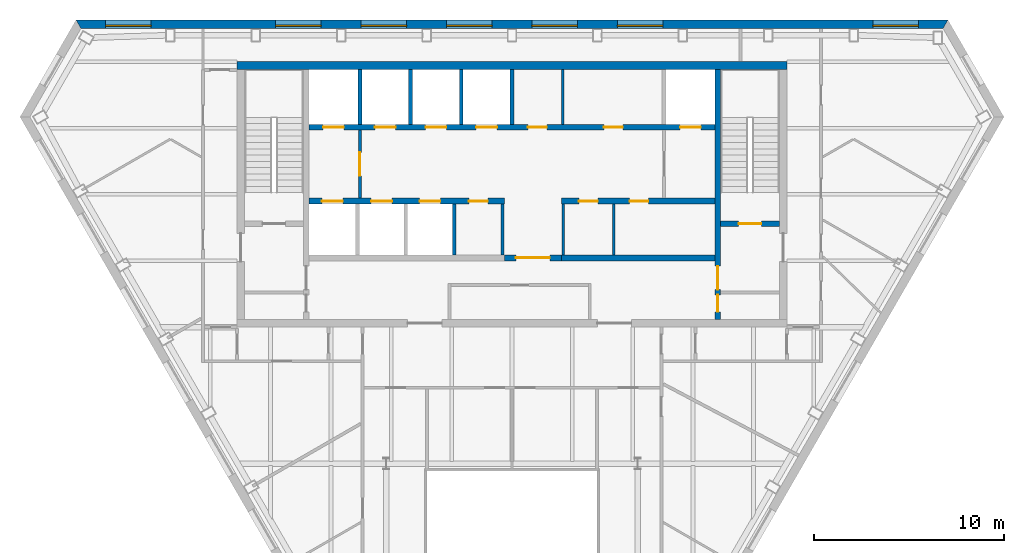
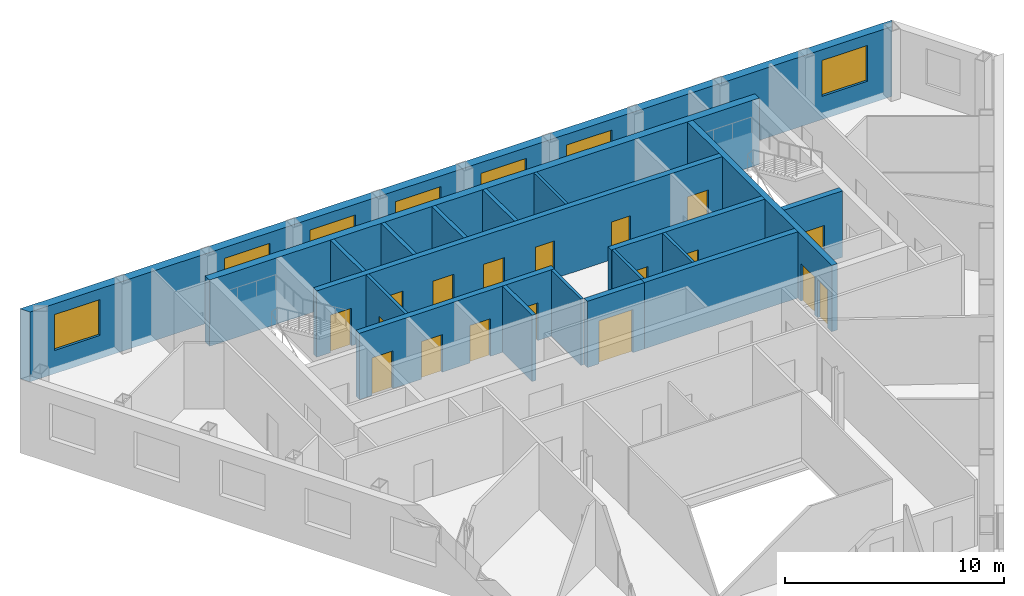
# One storey, part 6 of 10: 19 walls, 18 doors, 7 windows, 25 openings.
"""IFC4 building model written with IfcOpenShell, lengths in metres."""

from ifc_helpers import new_model, si_unit, direction, frame, frame_2d, origin, place, context, subcontext, project, spatial, polyline, rectangle, outline, extrude, material, layer, layer_set, type_object, element, fill, save


model = new_model("IFC4")

# Units and contexts
model_context = context("Model", 3, precision=1e-05, world=origin(), true_north=direction((0.0, 1.0)))
body_context = subcontext(model_context, "Body", "Model", "MODEL_VIEW")
ifc_project = project(units=[si_unit("LENGTHUNIT", "METRE"), si_unit("AREAUNIT", "SQUARE_METRE"), si_unit("VOLUMEUNIT", "CUBIC_METRE"), si_unit("PLANEANGLEUNIT", "RADIAN"), si_unit("MASSUNIT", "GRAM", prefix="KILO")], contexts=[model_context])

# Site, building, storey
site_placement = place(None, origin())
site = spatial("IfcSite", under=ifc_project, at=site_placement, CompositionType="ELEMENT")
building_placement = place(site_placement, origin())
building = spatial("IfcBuilding", under=site, at=building_placement, Name="Njiva Tower", CompositionType="ELEMENT")
storey_placement = place(building_placement, frame((0.0, 0.0, 264.9)))
storey = spatial("IfcBuildingStorey", under=building, at=storey_placement, Name="L60", CompositionType="ELEMENT", Elevation=264.9)

# Walls
ifc_material_1 = material(Name="Blockwork", Category="masonry")
ifc_layer_1 = layer(ifc_material_1, 0.15)
ifc_layer_set_1 = layer_set([ifc_layer_1], Name="Blockwork")
wall_type_1 = type_object("IfcWallType", Name="WT1 Compartment partition 150", PredefinedType="PARTITIONING", material=ifc_layer_set_1)
wall_1_placement = place(storey_placement, frame((2.675, 14.7, 0.0), z_axis=(0.0, 0.0, 1.0), x_axis=(0.0, 1.0, 0.0)))
element("IfcWall", 1, at=wall_1_placement, inside=storey, type_object=wall_type_1, Name="Partition CN5", PredefinedType="PARTITIONING", context=body_context, shape_type="SweptSolid", body=[
    extrude(rectangle(XDim=2.9, YDim=0.15, at=frame_2d((1.45, 0.0))), origin(), (0.0, 0.0, 1.0), 3.7),
])
for number, where, z_axis, x_axis, name in (
    (2, (-0.5, 7.8, 0.0), (0.0, 0.0, 1.0), (0.0, 1.0, 0.0), "Partition CS4"),
    (3, (2.7, 7.8, 0.0), (0.0, 0.0, 1.0), (0.0, 1.0, 0.0), "Partition CS5"),
    (4, (5.3667, 7.8, 0.0), (0.0, 0.0, 1.0), (0.0, 1.0, 0.0), "Partition CS6"),
):
    element("IfcWall", number, at=place(storey_placement, frame(where, z_axis=z_axis, x_axis=x_axis)), inside=storey, type_object=wall_type_1, Name=name, PredefinedType="PARTITIONING", context=body_context, shape_type="SweptSolid", body=[
        extrude(rectangle(XDim=2.7, YDim=0.15, at=frame_2d((1.35, 0.0))), origin(), (0.0, 0.0, 1.0), 3.7),
    ])

# Wall, openings, doors
ifc_material_2 = material(Name="Concrete C40/50", Category="concrete")
ifc_layer_2 = layer(ifc_material_2, 0.3)
ifc_layer_set_2 = layer_set([ifc_layer_2], Name="Concrete C40/50")
wall_type_2 = type_object("IfcWallType", Name="WT10 Stair enclosure wall 300", PredefinedType="SHEAR", material=ifc_layer_set_2)
wall_2_placement = place(storey_placement, frame((10.85, 4.4, 0.0), z_axis=(0.0, 0.0, 1.0), x_axis=(0.0, 1.0, 0.0)))
wall_2 = element("IfcWall", 5, at=wall_2_placement, inside=storey, type_object=wall_type_2, Name="Stair wall east inner", PredefinedType="SHEAR", context=body_context, shape_type="SweptSolid", body=[
    extrude(rectangle(XDim=13.2, YDim=0.3, at=frame_2d((6.6, 0.0))), origin(), (0.0, 0.0, 1.0), 3.7),
])
opening_1_placement = place(wall_2_placement, frame((1.575, 0.0, 0.0)))
opening_1 = element("IfcOpeningElement", 6, at=opening_1_placement, cuts=wall_2, Name="Opening S19-D921", PredefinedType="OPENING", context=body_context, shape_type="SweptSolid", body=[
    extrude(rectangle(XDim=1.25, YDim=2.1, at=frame_2d((0.625, 1.05))), frame((0.0, 0.16, 0.0), z_axis=(0.0, -1.0, 0.0), x_axis=(1.0, 0.0, 0.0)), (0.0, 0.0, 1.0), 0.32),
])
opening_2_placement = place(wall_2_placement, frame((0.4, 0.0, 0.0)))
opening_2 = element("IfcOpeningElement", 7, at=opening_2_placement, cuts=wall_2, Name="Opening S19-D923", PredefinedType="OPENING", context=body_context, shape_type="SweptSolid", body=[
    extrude(rectangle(XDim=0.9, YDim=2.1, at=frame_2d((0.45, 1.05))), frame((0.0, 0.16, 0.0), z_axis=(0.0, -1.0, 0.0), x_axis=(1.0, 0.0, 0.0)), (0.0, 0.0, 1.0), 0.32),
])
ifc_material_3 = material(Name="Steel door, painted", Category="steel")
door_type_1 = type_object("IfcDoorType", Name="D13 Steel door 900x2100", OperationType="SINGLE_SWING_LEFT", PredefinedType="DOOR", material=ifc_material_3)
door_1_placement = place(opening_2_placement, origin())
door_1 = element("IfcDoor", 8, at=door_1_placement, inside=storey, type_object=door_type_1, Name="Business centre door", OperationType="SINGLE_SWING_LEFT", OverallHeight=2.1, OverallWidth=0.9, PredefinedType="DOOR", context=body_context, shape_type="SweptSolid", body=[
    extrude(rectangle(XDim=0.9, YDim=2.1, at=frame_2d((0.45, 1.05))), frame((0.0, 0.025, 0.0), z_axis=(0.0, -1.0, 0.0), x_axis=(1.0, 0.0, 0.0)), (0.0, 0.0, 1.0), 0.05),
])
fill(opening_2, door_1)
ifc_material_4 = material(Name="Glazed steel fire door", Category="steel")
door_type_2 = type_object("IfcDoorType", Name="D8 Vestibule corridor door 1250x2100 glazed", OperationType="SINGLE_SWING_LEFT", PredefinedType="DOOR", material=ifc_material_4)
door_2_placement = place(opening_1_placement, origin())
door_2 = element("IfcDoor", 9, at=door_2_placement, inside=storey, type_object=door_type_2, Name="Stair vestibule corridor door", OperationType="SINGLE_SWING_RIGHT", OverallHeight=2.1, OverallWidth=1.25, PredefinedType="DOOR", context=body_context, shape_type="SweptSolid", body=[
    extrude(rectangle(XDim=1.25, YDim=2.1, at=frame_2d((0.625, 1.05))), frame((0.0, 0.025, 0.0), z_axis=(0.0, -1.0, 0.0), x_axis=(1.0, 0.0, 0.0)), (0.0, 0.0, 1.0), 0.05),
])
fill(opening_1, door_2)

# Wall, opening, door
wall_3_placement = place(storey_placement, frame((11.0, 9.45, 0.0), z_axis=(0.0, 0.0, 1.0), x_axis=(1.0, 0.0, 0.0)))
wall_3 = element("IfcWall", 10, at=wall_3_placement, inside=storey, type_object=wall_type_2, Name="Stair B south wall", PredefinedType="SHEAR", context=body_context, shape_type="SweptSolid", body=[
    extrude(rectangle(XDim=3.1, YDim=0.3, at=frame_2d((1.55, 0.0))), origin(), (0.0, 0.0, 1.0), 3.7),
])
opening_3_placement = place(wall_3_placement, frame((0.95, 0.0, 0.0)))
opening_3 = element("IfcOpeningElement", 11, at=opening_3_placement, cuts=wall_3, Name="Opening S19-D920", PredefinedType="OPENING", context=body_context, shape_type="SweptSolid", body=[
    extrude(rectangle(XDim=1.2, YDim=2.1, at=frame_2d((0.6, 1.05))), frame((0.0, 0.16, 0.0), z_axis=(0.0, -1.0, 0.0), x_axis=(1.0, 0.0, 0.0)), (0.0, 0.0, 1.0), 0.32),
])
door_type_3 = type_object("IfcDoorType", Name="D7 Stair vestibule door 1200x2100 glazed", OperationType="SINGLE_SWING_LEFT", PredefinedType="DOOR", material=ifc_material_4)
door_3_placement = place(opening_3_placement, origin())
door_3 = element("IfcDoor", 12, at=door_3_placement, inside=storey, type_object=door_type_3, Name="Stair B door", OperationType="SINGLE_SWING_LEFT", OverallHeight=2.1, OverallWidth=1.2, PredefinedType="DOOR", context=body_context, shape_type="SweptSolid", body=[
    extrude(rectangle(XDim=1.2, YDim=2.1, at=frame_2d((0.6, 1.05))), frame((0.0, 0.025, 0.0), z_axis=(0.0, -1.0, 0.0), x_axis=(1.0, 0.0, 0.0)), (0.0, 0.0, 1.0), 0.05),
])
fill(opening_3, door_3)

# Wall
ifc_material_5 = material(Name="Concrete C60/75", Category="concrete")
ifc_layer_3 = layer(ifc_material_5, 0.4)
ifc_layer_set_3 = layer_set([ifc_layer_3], Name="Concrete C60/75")
wall_type_3 = type_object("IfcWallType", Name="WT11 Core wall 400", PredefinedType="SHEAR", material=ifc_layer_set_3)
wall_4_placement = place(storey_placement, frame((-14.5, 17.8, 0.0), z_axis=(0.0, 0.0, 1.0), x_axis=(1.0, 0.0, 0.0)))
element("IfcWall", 13, at=wall_4_placement, inside=storey, type_object=wall_type_3, Name="Core wall north", PredefinedType="SHEAR", context=body_context, shape_type="SweptSolid", body=[
    extrude(rectangle(XDim=29.0, YDim=0.4, at=frame_2d((14.5, 0.0))), origin(), (0.0, 0.0, 1.0), 3.7),
])

# Wall, opening, door
ifc_layer_4 = layer(ifc_material_1, 0.15)
ifc_layer_set_4 = layer_set([ifc_layer_4], Name="Blockwork")
wall_type_4 = type_object("IfcWallType", Name="WT2 Lobby partition 150", PredefinedType="PARTITIONING", material=ifc_layer_set_4)
wall_5_placement = place(storey_placement, frame((-8.025, 10.8, 0.0), z_axis=(0.0, 0.0, 1.0), x_axis=(0.0, 1.0, 0.0)))
wall_5 = element("IfcWall", 14, at=wall_5_placement, inside=storey, type_object=wall_type_4, Name="Firefighting lobby wall A", PredefinedType="PARTITIONING", context=body_context, shape_type="SweptSolid", body=[
    extrude(rectangle(XDim=3.6, YDim=0.15, at=frame_2d((1.8, 0.0))), origin(), (0.0, 0.0, 1.0), 3.7),
])
opening_4_placement = place(wall_5_placement, frame((1.175, 0.0, 0.0)))
opening_4 = element("IfcOpeningElement", 15, at=opening_4_placement, cuts=wall_5, Name="Opening S19-D914", PredefinedType="OPENING", context=body_context, shape_type="SweptSolid", body=[
    extrude(rectangle(XDim=1.25, YDim=2.1, at=frame_2d((0.625, 1.05))), frame((0.0, 0.085, 0.0), z_axis=(0.0, -1.0, 0.0), x_axis=(1.0, 0.0, 0.0)), (0.0, 0.0, 1.0), 0.17),
])
door_4_placement = place(opening_4_placement, origin())
door_4 = element("IfcDoor", 16, at=door_4_placement, inside=storey, type_object=door_type_2, Name="Stair vestibule corridor door", OperationType="SINGLE_SWING_RIGHT", OverallHeight=2.1, OverallWidth=1.25, PredefinedType="DOOR", context=body_context, shape_type="SweptSolid", body=[
    extrude(rectangle(XDim=1.25, YDim=2.1, at=frame_2d((0.625, 1.05))), frame((0.0, 0.025, 0.0), z_axis=(0.0, -1.0, 0.0), x_axis=(1.0, 0.0, 0.0)), (0.0, 0.0, 1.0), 0.05),
])
fill(opening_4, door_4)

ifc_layer_5 = layer(ifc_material_1, 0.3)
ifc_layer_set_5 = layer_set([ifc_layer_5], Name="Blockwork")
wall_type_5 = type_object("IfcWallType", Name="WT5 Lobby partition 300", PredefinedType="PARTITIONING", material=ifc_layer_set_5)
wall_6_placement = place(storey_placement, frame((-0.4, 7.65, 0.0), z_axis=(0.0, 0.0, 1.0), x_axis=(1.0, 0.0, 0.0)))
wall_6 = element("IfcWall", 17, at=wall_6_placement, inside=storey, type_object=wall_type_5, Name="Lift lobby screen wall", PredefinedType="PARTITIONING", context=body_context, shape_type="SweptSolid", body=[
    extrude(rectangle(XDim=3.0, YDim=0.3, at=frame_2d((1.5, 0.0))), origin(), (0.0, 0.0, 1.0), 3.7),
])
opening_5_placement = place(wall_6_placement, frame((0.6, 0.0, 0.0)))
opening_5 = element("IfcOpeningElement", 18, at=opening_5_placement, cuts=wall_6, Name="Opening S19-D925", PredefinedType="OPENING", context=body_context, shape_type="SweptSolid", body=[
    extrude(rectangle(XDim=1.8, YDim=2.4, at=frame_2d((0.9, 1.2))), frame((0.0, 0.16, 0.0), z_axis=(0.0, -1.0, 0.0), x_axis=(1.0, 0.0, 0.0)), (0.0, 0.0, 1.0), 0.32),
])
ifc_material_6 = material(Name="Steel and glass door", Category="steel")
door_type_4 = type_object("IfcDoorType", Name="D3 Core entrance door 1800x2400", OperationType="DOUBLE_DOOR_SINGLE_SWING", PredefinedType="DOOR", material=ifc_material_6)
door_5_placement = place(opening_5_placement, origin())
door_5 = element("IfcDoor", 19, at=door_5_placement, inside=storey, type_object=door_type_4, Name="Core entrance door", OperationType="DOUBLE_DOOR_SINGLE_SWING", OverallHeight=2.4, OverallWidth=1.8, PredefinedType="DOOR", context=body_context, shape_type="SweptSolid", body=[
    extrude(rectangle(XDim=1.8, YDim=2.4, at=frame_2d((0.9, 1.2))), frame((0.0, 0.025, 0.0), z_axis=(0.0, -1.0, 0.0), x_axis=(1.0, 0.0, 0.0)), (0.0, 0.0, 1.0), 0.05),
])
fill(opening_5, door_5)

# Walls
ifc_layer_6 = layer(ifc_material_2, 0.2)
ifc_layer_set_6 = layer_set([ifc_layer_6], Name="Concrete C40/50")
wall_type_6 = type_object("IfcWallType", Name="WT6 Lift shaft wall 200", PredefinedType="SHEAR", material=ifc_layer_set_6)
for number, where, z_axis, x_axis, name in (
    (20, (-8.025, 14.7, 0.0), (0.0, 0.0, 1.0), (0.0, 1.0, 0.0), "Shaft wall CN1"),
    (21, (-5.35, 14.7, 0.0), (0.0, 0.0, 1.0), (0.0, 1.0, 0.0), "Shaft wall CN2"),
    (22, (-2.675, 14.7, 0.0), (0.0, 0.0, 1.0), (0.0, 1.0, 0.0), "Shaft wall CN3"),
    (23, (0.0, 14.7, 0.0), (0.0, 0.0, 1.0), (0.0, 1.0, 0.0), "Shaft wall CN4"),
):
    element("IfcWall", number, at=place(storey_placement, frame(where, z_axis=z_axis, x_axis=x_axis)), inside=storey, type_object=wall_type_6, Name=name, PredefinedType="SHEAR", context=body_context, shape_type="SweptSolid", body=[
        extrude(rectangle(XDim=2.9, YDim=0.2, at=frame_2d((1.45, 0.0))), origin(), (0.0, 0.0, 1.0), 3.7),
    ])
wall_7_placement = place(storey_placement, frame((-3.05, 7.8, 0.0), z_axis=(0.0, 0.0, 1.0), x_axis=(0.0, 1.0, 0.0)))
element("IfcWall", 24, at=wall_7_placement, inside=storey, type_object=wall_type_6, Name="Shaft wall CS3", PredefinedType="SHEAR", context=body_context, shape_type="SweptSolid", body=[
    extrude(rectangle(XDim=2.7, YDim=0.2, at=frame_2d((1.35, 0.0))), origin(), (0.0, 0.0, 1.0), 3.7),
])

# Wall, openings, doors
ifc_layer_7 = layer(ifc_material_2, 0.3)
ifc_layer_set_7 = layer_set([ifc_layer_7], Name="Concrete C40/50")
wall_type_7 = type_object("IfcWallType", Name="WT7 Lift shaft wall 300", PredefinedType="SHEAR", material=ifc_layer_set_7)
wall_8_placement = place(storey_placement, frame((-10.7, 14.55, 0.0), z_axis=(0.0, 0.0, 1.0), x_axis=(1.0, 0.0, 0.0)))
wall_8 = element("IfcWall", 25, at=wall_8_placement, inside=storey, type_object=wall_type_7, Name="Shaft wall north row lobby side", PredefinedType="SHEAR", context=body_context, shape_type="SweptSolid", body=[
    extrude(rectangle(XDim=21.4, YDim=0.3, at=frame_2d((10.7, 0.0))), origin(), (0.0, 0.0, 1.0), 3.7),
])
opening_6_placement = place(wall_8_placement, frame((0.7375, 0.0, 0.0)))
opening_6 = element("IfcOpeningElement", 26, at=opening_6_placement, cuts=wall_8, Name="Opening S19-D901", PredefinedType="OPENING", context=body_context, shape_type="SweptSolid", body=[
    extrude(rectangle(XDim=1.1, YDim=2.1, at=frame_2d((0.55, 1.05))), frame((0.0, 0.16, 0.0), z_axis=(0.0, -1.0, 0.0), x_axis=(1.0, 0.0, 0.0)), (0.0, 0.0, 1.0), 0.32),
])
opening_7_placement = place(wall_8_placement, frame((3.4625, 0.0, 0.0)))
opening_7 = element("IfcOpeningElement", 27, at=opening_7_placement, cuts=wall_8, Name="Opening S19-D902", PredefinedType="OPENING", context=body_context, shape_type="SweptSolid", body=[
    extrude(rectangle(XDim=1.1, YDim=2.1, at=frame_2d((0.55, 1.05))), frame((0.0, 0.16, 0.0), z_axis=(0.0, -1.0, 0.0), x_axis=(1.0, 0.0, 0.0)), (0.0, 0.0, 1.0), 0.32),
])
opening_8_placement = place(wall_8_placement, frame((6.1375, 0.0, 0.0)))
opening_8 = element("IfcOpeningElement", 28, at=opening_8_placement, cuts=wall_8, Name="Opening S19-D903", PredefinedType="OPENING", context=body_context, shape_type="SweptSolid", body=[
    extrude(rectangle(XDim=1.1, YDim=2.1, at=frame_2d((0.55, 1.05))), frame((0.0, 0.16, 0.0), z_axis=(0.0, -1.0, 0.0), x_axis=(1.0, 0.0, 0.0)), (0.0, 0.0, 1.0), 0.32),
])
opening_9_placement = place(wall_8_placement, frame((8.8125, 0.0, 0.0)))
opening_9 = element("IfcOpeningElement", 29, at=opening_9_placement, cuts=wall_8, Name="Opening S19-D904", PredefinedType="OPENING", context=body_context, shape_type="SweptSolid", body=[
    extrude(rectangle(XDim=1.1, YDim=2.1, at=frame_2d((0.55, 1.05))), frame((0.0, 0.16, 0.0), z_axis=(0.0, -1.0, 0.0), x_axis=(1.0, 0.0, 0.0)), (0.0, 0.0, 1.0), 0.32),
])
opening_10_placement = place(wall_8_placement, frame((19.5625, 0.0, 0.0)))
opening_10 = element("IfcOpeningElement", 30, at=opening_10_placement, cuts=wall_8, Name="Opening S19-D905", PredefinedType="OPENING", context=body_context, shape_type="SweptSolid", body=[
    extrude(rectangle(XDim=1.1, YDim=2.1, at=frame_2d((0.55, 1.05))), frame((0.0, 0.16, 0.0), z_axis=(0.0, -1.0, 0.0), x_axis=(1.0, 0.0, 0.0)), (0.0, 0.0, 1.0), 0.32),
])
opening_11_placement = place(wall_8_placement, frame((11.5375, 0.0, 0.0)))
opening_11 = element("IfcOpeningElement", 31, at=opening_11_placement, cuts=wall_8, Name="Opening S19-D909", PredefinedType="OPENING", context=body_context, shape_type="SweptSolid", body=[
    extrude(rectangle(XDim=1.0, YDim=2.1, at=frame_2d((0.5, 1.05))), frame((0.0, 0.16, 0.0), z_axis=(0.0, -1.0, 0.0), x_axis=(1.0, 0.0, 0.0)), (0.0, 0.0, 1.0), 0.32),
])
opening_12_placement = place(wall_8_placement, frame((15.55, 0.0, 0.0)))
opening_12 = element("IfcOpeningElement", 32, at=opening_12_placement, cuts=wall_8, Name="Opening S19-D910", PredefinedType="OPENING", context=body_context, shape_type="SweptSolid", body=[
    extrude(rectangle(XDim=1.0, YDim=2.1, at=frame_2d((0.5, 1.05))), frame((0.0, 0.16, 0.0), z_axis=(0.0, -1.0, 0.0), x_axis=(1.0, 0.0, 0.0)), (0.0, 0.0, 1.0), 0.32),
])
door_type_5 = type_object("IfcDoorType", Name="D5 Steel door 1000x2100", OperationType="SINGLE_SWING_LEFT", PredefinedType="DOOR", material=ifc_material_3)
door_6_placement = place(opening_11_placement, origin())
door_6 = element("IfcDoor", 33, at=door_6_placement, inside=storey, type_object=door_type_5, Name="Quiet room door", OperationType="SINGLE_SWING_LEFT", OverallHeight=2.1, OverallWidth=1.0, PredefinedType="DOOR", context=body_context, shape_type="SweptSolid", body=[
    extrude(rectangle(XDim=1.0, YDim=2.1, at=frame_2d((0.5, 1.05))), frame((0.0, 0.025, 0.0), z_axis=(0.0, -1.0, 0.0), x_axis=(1.0, 0.0, 0.0)), (0.0, 0.0, 1.0), 0.05),
])
fill(opening_11, door_6)
door_7_placement = place(opening_12_placement, origin())
door_7 = element("IfcDoor", 34, at=door_7_placement, inside=storey, type_object=door_type_5, Name="Prayer room door", OperationType="SINGLE_SWING_LEFT", OverallHeight=2.1, OverallWidth=1.0, PredefinedType="DOOR", context=body_context, shape_type="SweptSolid", body=[
    extrude(rectangle(XDim=1.0, YDim=2.1, at=frame_2d((0.5, 1.05))), frame((0.0, 0.025, 0.0), z_axis=(0.0, -1.0, 0.0), x_axis=(1.0, 0.0, 0.0)), (0.0, 0.0, 1.0), 0.05),
])
fill(opening_12, door_7)
ifc_material_7 = material(Name="Stainless steel sliding door", Category="steel")
door_type_6 = type_object("IfcDoorType", Name="LD Lift landing door 1100x2100", OperationType="SLIDING_TO_LEFT", PredefinedType="DOOR", material=ifc_material_7)
door_8_placement = place(opening_6_placement, origin())
door_8 = element("IfcDoor", 35, at=door_8_placement, inside=storey, type_object=door_type_6, Name="Lift landing door FF1", OperationType="SLIDING_TO_LEFT", OverallHeight=2.1, OverallWidth=1.1, PredefinedType="DOOR", context=body_context, shape_type="SweptSolid", body=[
    extrude(rectangle(XDim=1.1, YDim=2.1, at=frame_2d((0.55, 1.05))), frame((0.0, 0.025, 0.0), z_axis=(0.0, -1.0, 0.0), x_axis=(1.0, 0.0, 0.0)), (0.0, 0.0, 1.0), 0.05),
])
fill(opening_6, door_8)
door_9_placement = place(opening_7_placement, origin())
door_9 = element("IfcDoor", 36, at=door_9_placement, inside=storey, type_object=door_type_6, Name="Lift landing door HB4", OperationType="SLIDING_TO_LEFT", OverallHeight=2.1, OverallWidth=1.1, PredefinedType="DOOR", context=body_context, shape_type="SweptSolid", body=[
    extrude(rectangle(XDim=1.1, YDim=2.1, at=frame_2d((0.55, 1.05))), frame((0.0, 0.025, 0.0), z_axis=(0.0, -1.0, 0.0), x_axis=(1.0, 0.0, 0.0)), (0.0, 0.0, 1.0), 0.05),
])
fill(opening_7, door_9)
door_10_placement = place(opening_8_placement, origin())
door_10 = element("IfcDoor", 37, at=door_10_placement, inside=storey, type_object=door_type_6, Name="Lift landing door HB5", OperationType="SLIDING_TO_LEFT", OverallHeight=2.1, OverallWidth=1.1, PredefinedType="DOOR", context=body_context, shape_type="SweptSolid", body=[
    extrude(rectangle(XDim=1.1, YDim=2.1, at=frame_2d((0.55, 1.05))), frame((0.0, 0.025, 0.0), z_axis=(0.0, -1.0, 0.0), x_axis=(1.0, 0.0, 0.0)), (0.0, 0.0, 1.0), 0.05),
])
fill(opening_8, door_10)
door_11_placement = place(opening_9_placement, origin())
door_11 = element("IfcDoor", 38, at=door_11_placement, inside=storey, type_object=door_type_6, Name="Lift landing door HB6", OperationType="SLIDING_TO_LEFT", OverallHeight=2.1, OverallWidth=1.1, PredefinedType="DOOR", context=body_context, shape_type="SweptSolid", body=[
    extrude(rectangle(XDim=1.1, YDim=2.1, at=frame_2d((0.55, 1.05))), frame((0.0, 0.025, 0.0), z_axis=(0.0, -1.0, 0.0), x_axis=(1.0, 0.0, 0.0)), (0.0, 0.0, 1.0), 0.05),
])
fill(opening_9, door_11)
door_12_placement = place(opening_10_placement, origin())
door_12 = element("IfcDoor", 39, at=door_12_placement, inside=storey, type_object=door_type_6, Name="Lift landing door FF2", OperationType="SLIDING_TO_LEFT", OverallHeight=2.1, OverallWidth=1.1, PredefinedType="DOOR", context=body_context, shape_type="SweptSolid", body=[
    extrude(rectangle(XDim=1.1, YDim=2.1, at=frame_2d((0.55, 1.05))), frame((0.0, 0.025, 0.0), z_axis=(0.0, -1.0, 0.0), x_axis=(1.0, 0.0, 0.0)), (0.0, 0.0, 1.0), 0.05),
])
fill(opening_10, door_12)

wall_9_placement = place(storey_placement, frame((-10.7, 10.65, 0.0), z_axis=(0.0, 0.0, 1.0), x_axis=(1.0, 0.0, 0.0)))
wall_9 = element("IfcWall", 40, at=wall_9_placement, inside=storey, type_object=wall_type_7, Name="Shaft wall south row lobby side W", PredefinedType="SHEAR", context=body_context, shape_type="SweptSolid", body=[
    extrude(rectangle(XDim=10.3, YDim=0.3, at=frame_2d((5.15, 0.0))), origin(), (0.0, 0.0, 1.0), 3.7),
])
opening_13_placement = place(wall_9_placement, frame((0.675, 0.0, 0.0)))
opening_13 = element("IfcOpeningElement", 41, at=opening_13_placement, cuts=wall_9, Name="Opening S19-D906", PredefinedType="OPENING", context=body_context, shape_type="SweptSolid", body=[
    extrude(rectangle(XDim=1.1, YDim=2.1, at=frame_2d((0.55, 1.05))), frame((0.0, 0.16, 0.0), z_axis=(0.0, -1.0, 0.0), x_axis=(1.0, 0.0, 0.0)), (0.0, 0.0, 1.0), 0.32),
])
opening_14_placement = place(wall_9_placement, frame((3.275, 0.0, 0.0)))
opening_14 = element("IfcOpeningElement", 42, at=opening_14_placement, cuts=wall_9, Name="Opening S19-D907", PredefinedType="OPENING", context=body_context, shape_type="SweptSolid", body=[
    extrude(rectangle(XDim=1.1, YDim=2.1, at=frame_2d((0.55, 1.05))), frame((0.0, 0.16, 0.0), z_axis=(0.0, -1.0, 0.0), x_axis=(1.0, 0.0, 0.0)), (0.0, 0.0, 1.0), 0.32),
])
opening_15_placement = place(wall_9_placement, frame((5.825, 0.0, 0.0)))
opening_15 = element("IfcOpeningElement", 43, at=opening_15_placement, cuts=wall_9, Name="Opening S19-D908", PredefinedType="OPENING", context=body_context, shape_type="SweptSolid", body=[
    extrude(rectangle(XDim=1.1, YDim=2.1, at=frame_2d((0.55, 1.05))), frame((0.0, 0.16, 0.0), z_axis=(0.0, -1.0, 0.0), x_axis=(1.0, 0.0, 0.0)), (0.0, 0.0, 1.0), 0.32),
])
opening_16_placement = place(wall_9_placement, frame((8.425, 0.0, 0.0)))
opening_16 = element("IfcOpeningElement", 44, at=opening_16_placement, cuts=wall_9, Name="Opening S19-D911", PredefinedType="OPENING", context=body_context, shape_type="SweptSolid", body=[
    extrude(rectangle(XDim=1.0, YDim=2.1, at=frame_2d((0.5, 1.05))), frame((0.0, 0.16, 0.0), z_axis=(0.0, -1.0, 0.0), x_axis=(1.0, 0.0, 0.0)), (0.0, 0.0, 1.0), 0.32),
])
door_13_placement = place(opening_16_placement, origin())
door_13 = element("IfcDoor", 45, at=door_13_placement, inside=storey, type_object=door_type_5, Name="Business centre door", OperationType="SINGLE_SWING_RIGHT", OverallHeight=2.1, OverallWidth=1.0, PredefinedType="DOOR", context=body_context, shape_type="SweptSolid", body=[
    extrude(rectangle(XDim=1.0, YDim=2.1, at=frame_2d((0.5, 1.05))), frame((0.0, 0.025, 0.0), z_axis=(0.0, -1.0, 0.0), x_axis=(1.0, 0.0, 0.0)), (0.0, 0.0, 1.0), 0.05),
])
fill(opening_16, door_13)
door_14_placement = place(opening_13_placement, origin())
door_14 = element("IfcDoor", 46, at=door_14_placement, inside=storey, type_object=door_type_6, Name="Lift landing door HB1", OperationType="SLIDING_TO_LEFT", OverallHeight=2.1, OverallWidth=1.1, PredefinedType="DOOR", context=body_context, shape_type="SweptSolid", body=[
    extrude(rectangle(XDim=1.1, YDim=2.1, at=frame_2d((0.55, 1.05))), frame((0.0, 0.025, 0.0), z_axis=(0.0, -1.0, 0.0), x_axis=(1.0, 0.0, 0.0)), (0.0, 0.0, 1.0), 0.05),
])
fill(opening_13, door_14)
door_15_placement = place(opening_14_placement, origin())
door_15 = element("IfcDoor", 47, at=door_15_placement, inside=storey, type_object=door_type_6, Name="Lift landing door HB2", OperationType="SLIDING_TO_LEFT", OverallHeight=2.1, OverallWidth=1.1, PredefinedType="DOOR", context=body_context, shape_type="SweptSolid", body=[
    extrude(rectangle(XDim=1.1, YDim=2.1, at=frame_2d((0.55, 1.05))), frame((0.0, 0.025, 0.0), z_axis=(0.0, -1.0, 0.0), x_axis=(1.0, 0.0, 0.0)), (0.0, 0.0, 1.0), 0.05),
])
fill(opening_14, door_15)
door_16_placement = place(opening_15_placement, origin())
door_16 = element("IfcDoor", 48, at=door_16_placement, inside=storey, type_object=door_type_6, Name="Lift landing door HB3", OperationType="SLIDING_TO_LEFT", OverallHeight=2.1, OverallWidth=1.1, PredefinedType="DOOR", context=body_context, shape_type="SweptSolid", body=[
    extrude(rectangle(XDim=1.1, YDim=2.1, at=frame_2d((0.55, 1.05))), frame((0.0, 0.025, 0.0), z_axis=(0.0, -1.0, 0.0), x_axis=(1.0, 0.0, 0.0)), (0.0, 0.0, 1.0), 0.05),
])
fill(opening_15, door_16)

wall_10_placement = place(storey_placement, frame((2.6, 10.65, 0.0), z_axis=(0.0, 0.0, 1.0), x_axis=(1.0, 0.0, 0.0)))
wall_10 = element("IfcWall", 49, at=wall_10_placement, inside=storey, type_object=wall_type_7, Name="Shaft wall south row lobby side E", PredefinedType="SHEAR", context=body_context, shape_type="SweptSolid", body=[
    extrude(rectangle(XDim=8.1, YDim=0.3, at=frame_2d((4.05, 0.0))), origin(), (0.0, 0.0, 1.0), 3.7),
])
opening_17_placement = place(wall_10_placement, frame((0.9334, 0.0, 0.0)))
opening_17 = element("IfcOpeningElement", 50, at=opening_17_placement, cuts=wall_10, Name="Opening S19-D912", PredefinedType="OPENING", context=body_context, shape_type="SweptSolid", body=[
    extrude(rectangle(XDim=1.0, YDim=2.1, at=frame_2d((0.5, 1.05))), frame((0.0, 0.16, 0.0), z_axis=(0.0, -1.0, 0.0), x_axis=(1.0, 0.0, 0.0)), (0.0, 0.0, 1.0), 0.32),
])
opening_18_placement = place(wall_10_placement, frame((3.6, 0.0, 0.0)))
opening_18 = element("IfcOpeningElement", 51, at=opening_18_placement, cuts=wall_10, Name="Opening S19-D913", PredefinedType="OPENING", context=body_context, shape_type="SweptSolid", body=[
    extrude(rectangle(XDim=1.0, YDim=2.1, at=frame_2d((0.5, 1.05))), frame((0.0, 0.16, 0.0), z_axis=(0.0, -1.0, 0.0), x_axis=(1.0, 0.0, 0.0)), (0.0, 0.0, 1.0), 0.32),
])
door_17_placement = place(opening_17_placement, origin())
door_17 = element("IfcDoor", 52, at=door_17_placement, inside=storey, type_object=door_type_5, Name="Meeting room door", OperationType="SINGLE_SWING_LEFT", OverallHeight=2.1, OverallWidth=1.0, PredefinedType="DOOR", context=body_context, shape_type="SweptSolid", body=[
    extrude(rectangle(XDim=1.0, YDim=2.1, at=frame_2d((0.5, 1.05))), frame((0.0, 0.025, 0.0), z_axis=(0.0, -1.0, 0.0), x_axis=(1.0, 0.0, 0.0)), (0.0, 0.0, 1.0), 0.05),
])
fill(opening_17, door_17)
door_18_placement = place(opening_18_placement, origin())
door_18 = element("IfcDoor", 53, at=door_18_placement, inside=storey, type_object=door_type_5, Name="Pump room door", OperationType="SINGLE_SWING_RIGHT", OverallHeight=2.1, OverallWidth=1.0, PredefinedType="DOOR", context=body_context, shape_type="SweptSolid", body=[
    extrude(rectangle(XDim=1.0, YDim=2.1, at=frame_2d((0.5, 1.05))), frame((0.0, 0.025, 0.0), z_axis=(0.0, -1.0, 0.0), x_axis=(1.0, 0.0, 0.0)), (0.0, 0.0, 1.0), 0.05),
])
fill(opening_18, door_18)

# Wall
wall_11_placement = place(storey_placement, frame((2.6, 7.65, 0.0), z_axis=(0.0, 0.0, 1.0), x_axis=(1.0, 0.0, 0.0)))
element("IfcWall", 54, at=wall_11_placement, inside=storey, type_object=wall_type_7, Name="Shaft wall south row back E", PredefinedType="SHEAR", context=body_context, shape_type="SweptSolid", body=[
    extrude(rectangle(XDim=8.1, YDim=0.3, at=frame_2d((4.05, 0.0))), origin(), (0.0, 0.0, 1.0), 3.7),
])

# Wall, openings, windows
ifc_material_8 = material(Name="Brick masonry", Category="masonry")
ifc_layer_8 = layer(ifc_material_8, 0.45)
ifc_layer_set_8 = layer_set([ifc_layer_8], Name="Brick masonry")
wall_type_8 = type_object("IfcWallType", Name="WT90 Brick pier and spandrel wall 450", PredefinedType="SOLIDWALL", material=ifc_layer_set_8)
wall_12_placement = place(storey_placement, frame((22.8651, 19.975, -0.4), z_axis=(0.0, 0.0, 1.0), x_axis=(-1.0, 0.0, 0.0)))
wall_12 = element("IfcWall", 55, at=wall_12_placement, inside=storey, type_object=wall_type_8, Name="Facade wall N", PredefinedType="SOLIDWALL", context=body_context, shape_type="SweptSolid", body=[
    extrude(outline(polyline([(-0.1299, -0.225), (45.8601, -0.225), (45.6003, 0.225), (0.1299, 0.225), (-0.1299, -0.225)])), origin(), (0.0, 0.0, 1.0), 3.9),
])
opening_19_placement = place(wall_12_placement, frame((1.4237, 0.0, 1.3)))
opening_19 = element("IfcOpeningElement", 56, at=opening_19_placement, cuts=wall_12, Name="Opening S19-W01", PredefinedType="OPENING", context=body_context, shape_type="SweptSolid", body=[
    extrude(rectangle(XDim=2.4, YDim=2.0, at=frame_2d((1.2, 1.0))), frame((0.0, 0.235, 0.0), z_axis=(0.0, -1.0, 0.0), x_axis=(1.0, 0.0, 0.0)), (0.0, 0.0, 1.0), 0.47),
])
opening_20_placement = place(wall_12_placement, frame((14.9052, 0.0, 1.3)))
opening_20 = element("IfcOpeningElement", 57, at=opening_20_placement, cuts=wall_12, Name="Opening S19-W02", PredefinedType="OPENING", context=body_context, shape_type="SweptSolid", body=[
    extrude(rectangle(XDim=2.4, YDim=2.0, at=frame_2d((1.2, 1.0))), frame((0.0, 0.235, 0.0), z_axis=(0.0, -1.0, 0.0), x_axis=(1.0, 0.0, 0.0)), (0.0, 0.0, 1.0), 0.47),
])
opening_21_placement = place(wall_12_placement, frame((19.4118, 0.0, 1.3)))
opening_21 = element("IfcOpeningElement", 58, at=opening_21_placement, cuts=wall_12, Name="Opening S19-W03", PredefinedType="OPENING", context=body_context, shape_type="SweptSolid", body=[
    extrude(rectangle(XDim=2.4, YDim=2.0, at=frame_2d((1.2, 1.0))), frame((0.0, 0.235, 0.0), z_axis=(0.0, -1.0, 0.0), x_axis=(1.0, 0.0, 0.0)), (0.0, 0.0, 1.0), 0.47),
])
opening_22_placement = place(wall_12_placement, frame((23.9184, 0.0, 1.3)))
opening_22 = element("IfcOpeningElement", 59, at=opening_22_placement, cuts=wall_12, Name="Opening S19-W04", PredefinedType="OPENING", context=body_context, shape_type="SweptSolid", body=[
    extrude(rectangle(XDim=2.4, YDim=2.0, at=frame_2d((1.2, 1.0))), frame((0.0, 0.235, 0.0), z_axis=(0.0, -1.0, 0.0), x_axis=(1.0, 0.0, 0.0)), (0.0, 0.0, 1.0), 0.47),
])
opening_23_placement = place(wall_12_placement, frame((28.425, 0.0, 1.3)))
opening_23 = element("IfcOpeningElement", 60, at=opening_23_placement, cuts=wall_12, Name="Opening S19-W05", PredefinedType="OPENING", context=body_context, shape_type="SweptSolid", body=[
    extrude(rectangle(XDim=2.4, YDim=2.0, at=frame_2d((1.2, 1.0))), frame((0.0, 0.235, 0.0), z_axis=(0.0, -1.0, 0.0), x_axis=(1.0, 0.0, 0.0)), (0.0, 0.0, 1.0), 0.47),
])
opening_24_placement = place(wall_12_placement, frame((32.9316, 0.0, 1.3)))
opening_24 = element("IfcOpeningElement", 61, at=opening_24_placement, cuts=wall_12, Name="Opening S19-W06", PredefinedType="OPENING", context=body_context, shape_type="SweptSolid", body=[
    extrude(rectangle(XDim=2.4, YDim=2.0, at=frame_2d((1.2, 1.0))), frame((0.0, 0.235, 0.0), z_axis=(0.0, -1.0, 0.0), x_axis=(1.0, 0.0, 0.0)), (0.0, 0.0, 1.0), 0.47),
])
opening_25_placement = place(wall_12_placement, frame((41.9065, 0.0, 1.3)))
opening_25 = element("IfcOpeningElement", 62, at=opening_25_placement, cuts=wall_12, Name="Opening S19-W07", PredefinedType="OPENING", context=body_context, shape_type="SweptSolid", body=[
    extrude(rectangle(XDim=2.4, YDim=2.0, at=frame_2d((1.2, 1.0))), frame((0.0, 0.235, 0.0), z_axis=(0.0, -1.0, 0.0), x_axis=(1.0, 0.0, 0.0)), (0.0, 0.0, 1.0), 0.47),
])
ifc_material_9 = material(Name="Clear glazing in aluminium frame", Category="aluminium")
window_type = type_object("IfcWindowType", Name="W90 Deep-set window 2400x2000", PartitioningType="SINGLE_PANEL", PredefinedType="WINDOW", material=ifc_material_9)
window_1_placement = place(opening_19_placement, origin())
window_1 = element("IfcWindow", 63, at=window_1_placement, inside=storey, type_object=window_type, Name="Window", OverallHeight=2.0, OverallWidth=2.4, PartitioningType="SINGLE_PANEL", PredefinedType="WINDOW", context=body_context, shape_type="SweptSolid", body=[
    extrude(rectangle(XDim=2.4, YDim=2.0, at=frame_2d((1.2, 1.0))), frame((0.0, 0.105, 0.0), z_axis=(0.0, -1.0, 0.0), x_axis=(1.0, 0.0, 0.0)), (0.0, 0.0, 1.0), 0.06),
])
fill(opening_19, window_1)
window_2_placement = place(opening_20_placement, origin())
window_2 = element("IfcWindow", 64, at=window_2_placement, inside=storey, type_object=window_type, Name="Window", OverallHeight=2.0, OverallWidth=2.4, PartitioningType="SINGLE_PANEL", PredefinedType="WINDOW", context=body_context, shape_type="SweptSolid", body=[
    extrude(rectangle(XDim=2.4, YDim=2.0, at=frame_2d((1.2, 1.0))), frame((0.0, 0.105, 0.0), z_axis=(0.0, -1.0, 0.0), x_axis=(1.0, 0.0, 0.0)), (0.0, 0.0, 1.0), 0.06),
])
fill(opening_20, window_2)
window_3_placement = place(opening_21_placement, origin())
window_3 = element("IfcWindow", 65, at=window_3_placement, inside=storey, type_object=window_type, Name="Window", OverallHeight=2.0, OverallWidth=2.4, PartitioningType="SINGLE_PANEL", PredefinedType="WINDOW", context=body_context, shape_type="SweptSolid", body=[
    extrude(rectangle(XDim=2.4, YDim=2.0, at=frame_2d((1.2, 1.0))), frame((0.0, 0.105, 0.0), z_axis=(0.0, -1.0, 0.0), x_axis=(1.0, 0.0, 0.0)), (0.0, 0.0, 1.0), 0.06),
])
fill(opening_21, window_3)
window_4_placement = place(opening_22_placement, origin())
window_4 = element("IfcWindow", 66, at=window_4_placement, inside=storey, type_object=window_type, Name="Window", OverallHeight=2.0, OverallWidth=2.4, PartitioningType="SINGLE_PANEL", PredefinedType="WINDOW", context=body_context, shape_type="SweptSolid", body=[
    extrude(rectangle(XDim=2.4, YDim=2.0, at=frame_2d((1.2, 1.0))), frame((0.0, 0.105, 0.0), z_axis=(0.0, -1.0, 0.0), x_axis=(1.0, 0.0, 0.0)), (0.0, 0.0, 1.0), 0.06),
])
fill(opening_22, window_4)
window_5_placement = place(opening_23_placement, origin())
window_5 = element("IfcWindow", 67, at=window_5_placement, inside=storey, type_object=window_type, Name="Window", OverallHeight=2.0, OverallWidth=2.4, PartitioningType="SINGLE_PANEL", PredefinedType="WINDOW", context=body_context, shape_type="SweptSolid", body=[
    extrude(rectangle(XDim=2.4, YDim=2.0, at=frame_2d((1.2, 1.0))), frame((0.0, 0.105, 0.0), z_axis=(0.0, -1.0, 0.0), x_axis=(1.0, 0.0, 0.0)), (0.0, 0.0, 1.0), 0.06),
])
fill(opening_23, window_5)
window_6_placement = place(opening_24_placement, origin())
window_6 = element("IfcWindow", 68, at=window_6_placement, inside=storey, type_object=window_type, Name="Window", OverallHeight=2.0, OverallWidth=2.4, PartitioningType="SINGLE_PANEL", PredefinedType="WINDOW", context=body_context, shape_type="SweptSolid", body=[
    extrude(rectangle(XDim=2.4, YDim=2.0, at=frame_2d((1.2, 1.0))), frame((0.0, 0.105, 0.0), z_axis=(0.0, -1.0, 0.0), x_axis=(1.0, 0.0, 0.0)), (0.0, 0.0, 1.0), 0.06),
])
fill(opening_24, window_6)
window_7_placement = place(opening_25_placement, origin())
window_7 = element("IfcWindow", 69, at=window_7_placement, inside=storey, type_object=window_type, Name="Window", OverallHeight=2.0, OverallWidth=2.4, PartitioningType="SINGLE_PANEL", PredefinedType="WINDOW", context=body_context, shape_type="SweptSolid", body=[
    extrude(rectangle(XDim=2.4, YDim=2.0, at=frame_2d((1.2, 1.0))), frame((0.0, 0.105, 0.0), z_axis=(0.0, -1.0, 0.0), x_axis=(1.0, 0.0, 0.0)), (0.0, 0.0, 1.0), 0.06),
])
fill(opening_25, window_7)

save(model, "model.ifc")
